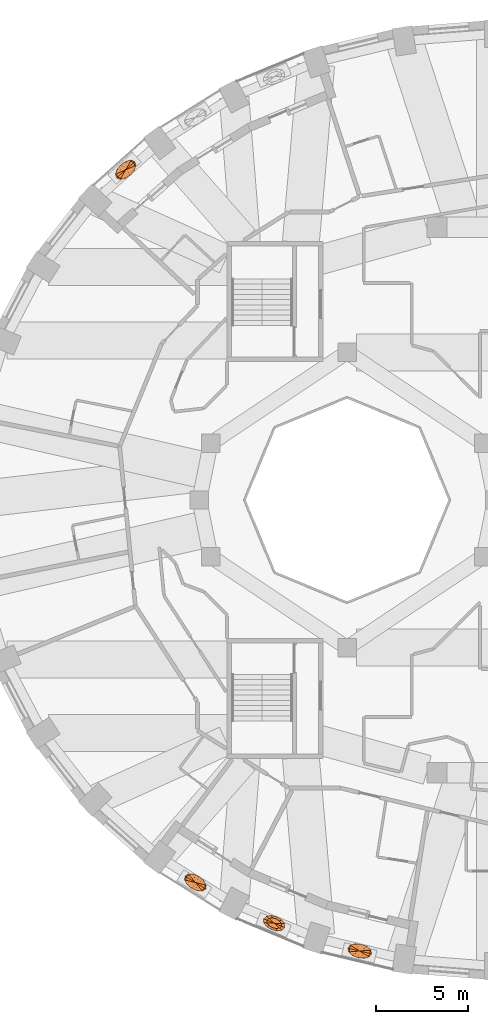
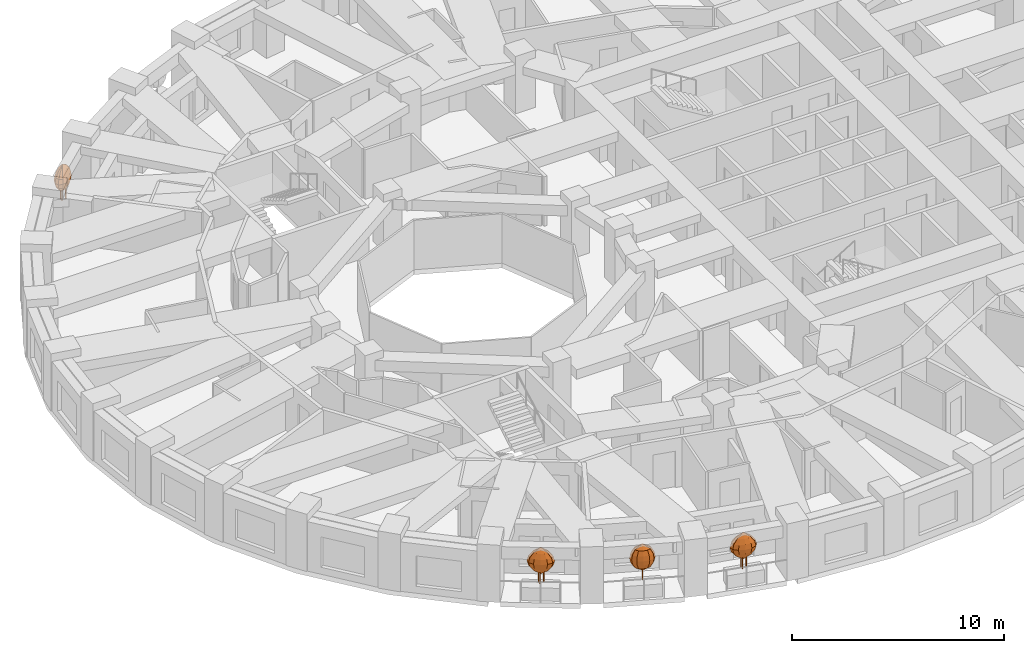
# One storey, part 12 of 13: 4 geographic elements.
"""IFC4 building model written with IfcOpenShell, lengths in metres."""

from ifc_helpers import new_model, si_unit, direction, frame, origin, place, context, subcontext, project, spatial, faceted_brep, material, constituent, constituent_set, type_object, element, save


model = new_model("IFC4")

# Units and contexts
model_context = context("Model", 3, precision=1e-05, world=origin(), true_north=direction((0.0, 1.0)))
body_context = subcontext(model_context, "Body", "Model", "MODEL_VIEW")
ifc_project = project(units=[si_unit("LENGTHUNIT", "METRE"), si_unit("AREAUNIT", "SQUARE_METRE"), si_unit("VOLUMEUNIT", "CUBIC_METRE"), si_unit("PLANEANGLEUNIT", "RADIAN"), si_unit("MASSUNIT", "GRAM", prefix="KILO")], contexts=[model_context])

# Site, building, storey
site_placement = place(None, origin())
site = spatial("IfcSite", under=ifc_project, at=site_placement, CompositionType="ELEMENT")
building_placement = place(site_placement, origin())
building = spatial("IfcBuilding", under=site, at=building_placement, Name="Taillehof Tower", CompositionType="ELEMENT")
storey_placement = place(building_placement, frame((0.0, 0.0, 81.10009765625)))
storey = spatial("IfcBuildingStorey", under=building, at=storey_placement, Name="L22", CompositionType="ELEMENT", Elevation=81.10009765625)

# Geographic elements
ifc_material_1 = material(Name="Tree bark", Category="timber")
ifc_constituent_1 = constituent(ifc_material_1, Name="Trunk", Category="timber")
ifc_material_2 = material(Name="Tree foliage")
ifc_constituent_2 = constituent(ifc_material_2, Name="Crown")
ifc_constituent_set_1 = constituent_set(constituents=[ifc_constituent_1, ifc_constituent_2], Name="Tree TR1 Columnar hornbeam")
geographic_element_type_1 = type_object("IfcGeographicElementType", Name="Tree TR1 Columnar hornbeam", PredefinedType="USERDEFINED", material=ifc_constituent_set_1)
geographic_element_1_placement = place(storey_placement, frame((-11.947509765625, -22.923583984375, 0.75)))
element("IfcGeographicElement", 1, at=geographic_element_1_placement, inside=storey, type_object=geographic_element_type_1, Name="Tree TR1 Columnar hornbeam", ObjectType="TREE", PredefinedType="USERDEFINED", context=body_context, shape_type="Brep", body=[
    faceted_brep([(0.030029296875, 0.0, 0.0), (0.021240234375, 0.021240234375, 0.0), (0.021240234375, 0.021240234375, 1.092529296875), (0.030029296875, 0.0, 1.092529296875), (0.0, 0.030029296875, 0.0), (0.0, 0.030029296875, 1.092529296875), (-0.021240234375, 0.021240234375, 0.0), (-0.021240234375, 0.021240234375, 1.092529296875), (-0.030029296875, 0.0, 0.0), (-0.030029296875, 0.0, 1.092529296875), (-0.021240234375, -0.021240234375, 0.0), (-0.021240234375, -0.021240234375, 1.092529296875), (0.0, -0.030029296875, 0.0), (0.0, -0.030029296875, 1.092529296875), (0.021240234375, -0.021240234375, 0.0), (0.021240234375, -0.021240234375, 1.092529296875)], [[[0, 1, 2, 3]], [[1, 4, 5, 2]], [[4, 6, 7, 5]], [[6, 8, 9, 7]], [[8, 10, 11, 9]], [[10, 12, 13, 11]], [[12, 14, 15, 13]], [[14, 0, 3, 15]], [[14, 12, 10, 8, 6, 4, 1, 0]], [[3, 2, 5, 7, 9, 11, 13, 15]]]),
    faceted_brep([(0.0, 0.0, 0.550048828125), (0.386962890625, -0.020751953125, 0.808349609375), (0.389404296875, -0.162353515625, 0.808349609375), (0.28125, 0.126220703125, 0.808349609375), (0.099853515625, 0.239501953125, 0.808349609375), (-0.108154296875, 0.28857421875, 0.808349609375), (-0.287109375, 0.26025390625, 0.808349609375), (-0.389404296875, 0.162353515625, 0.808349609375), (-0.386962890625, 0.020751953125, 0.808349609375), (-0.28125, -0.126220703125, 0.808349609375), (-0.099853515625, -0.239501953125, 0.808349609375), (0.108154296875, -0.28857421875, 0.808349609375), (0.287109375, -0.26025390625, 0.808349609375), (0.523681640625, -0.028076171875, 1.066650390625), (0.526611328125, -0.219482421875, 1.066650390625), (0.38037109375, 0.1708984375, 1.066650390625), (0.135009765625, 0.323974609375, 1.066650390625), (-0.146240234375, 0.390380859375, 1.066650390625), (-0.388427734375, 0.35205078125, 1.066650390625), (-0.526611328125, 0.219482421875, 1.066650390625), (-0.523681640625, 0.028076171875, 1.066650390625), (-0.38037109375, -0.1708984375, 1.066650390625), (-0.135009765625, -0.323974609375, 1.066650390625), (0.146240234375, -0.390380859375, 1.066650390625), (0.388427734375, -0.35205078125, 1.066650390625), (0.566650390625, -0.0302734375, 1.324951171875), (0.570068359375, -0.237548828125, 1.324951171875), (0.41162109375, 0.18505859375, 1.324951171875), (0.146240234375, 0.350830078125, 1.324951171875), (-0.158447265625, 0.422607421875, 1.324951171875), (-0.42041015625, 0.381103515625, 1.324951171875), (-0.570068359375, 0.237548828125, 1.324951171875), (-0.566650390625, 0.0302734375, 1.324951171875), (-0.41162109375, -0.18505859375, 1.324951171875), (-0.146240234375, -0.350830078125, 1.324951171875), (0.158447265625, -0.422607421875, 1.324951171875), (0.42041015625, -0.381103515625, 1.324951171875), (0.523681640625, -0.028076171875, 1.583251953125), (0.526611328125, -0.219482421875, 1.583251953125), (0.38037109375, 0.1708984375, 1.583251953125), (0.135009765625, 0.323974609375, 1.583251953125), (-0.146240234375, 0.390380859375, 1.583251953125), (-0.388427734375, 0.35205078125, 1.583251953125), (-0.526611328125, 0.219482421875, 1.583251953125), (-0.523681640625, 0.028076171875, 1.583251953125), (-0.38037109375, -0.1708984375, 1.583251953125), (-0.135009765625, -0.323974609375, 1.583251953125), (0.146240234375, -0.390380859375, 1.583251953125), (0.388427734375, -0.35205078125, 1.583251953125), (0.386962890625, -0.020751953125, 1.841552734375), (0.389404296875, -0.162353515625, 1.841552734375), (0.28125, 0.126220703125, 1.841552734375), (0.099853515625, 0.239501953125, 1.841552734375), (-0.108154296875, 0.28857421875, 1.841552734375), (-0.287109375, 0.26025390625, 1.841552734375), (-0.389404296875, 0.162353515625, 1.841552734375), (-0.386962890625, 0.020751953125, 1.841552734375), (-0.28125, -0.126220703125, 1.841552734375), (-0.099853515625, -0.239501953125, 1.841552734375), (0.108154296875, -0.28857421875, 1.841552734375), (0.287109375, -0.26025390625, 1.841552734375), (0.0, 0.0, 2.10009765625)], [[[0, 1, 2]], [[0, 3, 1]], [[0, 4, 3]], [[0, 5, 4]], [[0, 6, 5]], [[0, 7, 6]], [[0, 8, 7]], [[0, 9, 8]], [[0, 10, 9]], [[0, 11, 10]], [[0, 12, 11]], [[0, 2, 12]], [[2, 1, 13, 14]], [[1, 3, 15, 13]], [[3, 4, 16, 15]], [[4, 5, 17, 16]], [[5, 6, 18, 17]], [[6, 7, 19, 18]], [[7, 8, 20, 19]], [[8, 9, 21, 20]], [[9, 10, 22, 21]], [[10, 11, 23, 22]], [[11, 12, 24, 23]], [[12, 2, 14, 24]], [[14, 13, 25, 26]], [[13, 15, 27, 25]], [[15, 16, 28, 27]], [[16, 17, 29, 28]], [[17, 18, 30, 29]], [[18, 19, 31, 30]], [[19, 20, 32, 31]], [[20, 21, 33, 32]], [[21, 22, 34, 33]], [[22, 23, 35, 34]], [[23, 24, 36, 35]], [[24, 14, 26, 36]], [[26, 25, 37, 38]], [[25, 27, 39, 37]], [[27, 28, 40, 39]], [[28, 29, 41, 40]], [[29, 30, 42, 41]], [[30, 31, 43, 42]], [[31, 32, 44, 43]], [[32, 33, 45, 44]], [[33, 34, 46, 45]], [[34, 35, 47, 46]], [[35, 36, 48, 47]], [[36, 26, 38, 48]], [[38, 37, 49, 50]], [[37, 39, 51, 49]], [[39, 40, 52, 51]], [[40, 41, 53, 52]], [[41, 42, 54, 53]], [[42, 43, 55, 54]], [[43, 44, 56, 55]], [[44, 45, 57, 56]], [[45, 46, 58, 57]], [[46, 47, 59, 58]], [[47, 48, 60, 59]], [[48, 38, 50, 60]], [[50, 49, 61]], [[49, 51, 61]], [[51, 52, 61]], [[52, 53, 61]], [[53, 54, 61]], [[54, 55, 61]], [[55, 56, 61]], [[56, 57, 61]], [[57, 58, 61]], [[58, 59, 61]], [[59, 60, 61]], [[60, 50, 61]]]),
])
ifc_material_3 = material(Name="Tree bark", Category="timber")
ifc_constituent_3 = constituent(ifc_material_3, Name="Trunk", Category="timber")
ifc_material_4 = material(Name="Tree foliage")
ifc_constituent_4 = constituent(ifc_material_4, Name="Crown")
ifc_constituent_set_2 = constituent_set(constituents=[ifc_constituent_3, ifc_constituent_4], Name="Tree TR3 Multi-stem serviceberry")
geographic_element_type_2 = type_object("IfcGeographicElementType", Name="Tree TR3 Multi-stem serviceberry", PredefinedType="USERDEFINED", material=ifc_constituent_set_2)
geographic_element_2_placement = place(storey_placement, frame((-19.9921875, 17.8876953125, 0.75)))
element("IfcGeographicElement", 2, at=geographic_element_2_placement, inside=storey, type_object=geographic_element_type_2, Name="Tree TR3 Multi-stem serviceberry", ObjectType="TREE", PredefinedType="USERDEFINED", context=body_context, shape_type="Brep", body=[
    faceted_brep([(0.195068359375, 0.0, 0.0), (0.186767578125, 0.0205078125, 0.0), (0.186767578125, 0.0205078125, 1.04248046875), (0.195068359375, 0.0, 1.04248046875), (0.166259765625, 0.02880859375, 0.0), (0.166259765625, 0.02880859375, 1.04248046875), (0.145751953125, 0.0205078125, 0.0), (0.145751953125, 0.0205078125, 1.04248046875), (0.137451171875, 0.0, 0.0), (0.137451171875, 0.0, 1.04248046875), (0.145751953125, -0.0205078125, 0.0), (0.145751953125, -0.0205078125, 1.04248046875), (0.166259765625, -0.02880859375, 0.0), (0.166259765625, -0.02880859375, 1.04248046875), (0.186767578125, -0.0205078125, 0.0), (0.186767578125, -0.0205078125, 1.04248046875)], [[[0, 1, 2, 3]], [[1, 4, 5, 2]], [[4, 6, 7, 5]], [[6, 8, 9, 7]], [[8, 10, 11, 9]], [[10, 12, 13, 11]], [[12, 14, 15, 13]], [[14, 0, 3, 15]], [[14, 12, 10, 8, 6, 4, 1, 0]], [[3, 2, 5, 7, 9, 11, 13, 15]]]),
    faceted_brep([(-0.05419921875, 0.082275390625, 0.0), (-0.062744140625, 0.102783203125, 0.0), (-0.062744140625, 0.102783203125, 1.04248046875), (-0.05419921875, 0.082275390625, 1.04248046875), (-0.0830078125, 0.111083984375, 0.0), (-0.0830078125, 0.111083984375, 1.04248046875), (-0.103515625, 0.102783203125, 0.0), (-0.103515625, 0.102783203125, 1.04248046875), (-0.112060546875, 0.082275390625, 0.0), (-0.112060546875, 0.082275390625, 1.04248046875), (-0.103515625, 0.061767578125, 0.0), (-0.103515625, 0.061767578125, 1.04248046875), (-0.0830078125, 0.053466796875, 0.0), (-0.0830078125, 0.053466796875, 1.04248046875), (-0.062744140625, 0.061767578125, 0.0), (-0.062744140625, 0.061767578125, 1.04248046875)], [[[0, 1, 2, 3]], [[1, 4, 5, 2]], [[4, 6, 7, 5]], [[6, 8, 9, 7]], [[8, 10, 11, 9]], [[10, 12, 13, 11]], [[12, 14, 15, 13]], [[14, 0, 3, 15]], [[14, 12, 10, 8, 6, 4, 1, 0]], [[3, 2, 5, 7, 9, 11, 13, 15]]]),
    faceted_brep([(-0.05419921875, -0.082275390625, 0.0), (-0.062744140625, -0.061767578125, 0.0), (-0.062744140625, -0.061767578125, 1.04248046875), (-0.05419921875, -0.082275390625, 1.04248046875), (-0.0830078125, -0.053466796875, 0.0), (-0.0830078125, -0.053466796875, 1.04248046875), (-0.103515625, -0.061767578125, 0.0), (-0.103515625, -0.061767578125, 1.04248046875), (-0.112060546875, -0.082275390625, 0.0), (-0.112060546875, -0.082275390625, 1.04248046875), (-0.103515625, -0.102783203125, 0.0), (-0.103515625, -0.102783203125, 1.04248046875), (-0.0830078125, -0.111083984375, 0.0), (-0.0830078125, -0.111083984375, 1.04248046875), (-0.062744140625, -0.102783203125, 0.0), (-0.062744140625, -0.102783203125, 1.04248046875)], [[[0, 1, 2, 3]], [[1, 4, 5, 2]], [[4, 6, 7, 5]], [[6, 8, 9, 7]], [[8, 10, 11, 9]], [[10, 12, 13, 11]], [[12, 14, 15, 13]], [[14, 0, 3, 15]], [[14, 12, 10, 8, 6, 4, 1, 0]], [[3, 2, 5, 7, 9, 11, 13, 15]]]),
    faceted_brep([(0.0, 0.0, 0.5), (-0.173828125, -0.3017578125, 0.75830078125), (-0.28466796875, -0.254638671875, 0.75830078125), (-0.016357421875, -0.268310546875, 0.75830078125), (0.1455078125, -0.16259765625, 0.75830078125), (0.268310546875, -0.013671875, 0.75830078125), (0.3193359375, 0.13916015625, 0.75830078125), (0.28466796875, 0.254638671875, 0.75830078125), (0.173828125, 0.3017578125, 0.75830078125), (0.016357421875, 0.268310546875, 0.75830078125), (-0.1455078125, 0.16259765625, 0.75830078125), (-0.268310546875, 0.013671875, 0.75830078125), (-0.3193359375, -0.13916015625, 0.75830078125), (-0.269775390625, -0.46826171875, 1.0166015625), (-0.44189453125, -0.39501953125, 1.0166015625), (-0.025390625, -0.416259765625, 1.0166015625), (0.225830078125, -0.25244140625, 1.0166015625), (0.41650390625, -0.021240234375, 1.0166015625), (0.49560546875, 0.2158203125, 1.0166015625), (0.44189453125, 0.39501953125, 1.0166015625), (0.269775390625, 0.46826171875, 1.0166015625), (0.025390625, 0.416259765625, 1.0166015625), (-0.225830078125, 0.25244140625, 1.0166015625), (-0.41650390625, 0.021240234375, 1.0166015625), (-0.49560546875, -0.2158203125, 1.0166015625), (-0.302734375, -0.525390625, 1.27490234375), (-0.495849609375, -0.443115234375, 1.27490234375), (-0.028564453125, -0.467041015625, 1.27490234375), (0.253173828125, -0.283203125, 1.27490234375), (0.46728515625, -0.023681640625, 1.27490234375), (0.555908203125, 0.2421875, 1.27490234375), (0.495849609375, 0.443115234375, 1.27490234375), (0.302734375, 0.525390625, 1.27490234375), (0.028564453125, 0.467041015625, 1.27490234375), (-0.253173828125, 0.283203125, 1.27490234375), (-0.46728515625, 0.023681640625, 1.27490234375), (-0.555908203125, -0.2421875, 1.27490234375), (-0.269775390625, -0.46826171875, 1.533447265625), (-0.44189453125, -0.39501953125, 1.533447265625), (-0.025390625, -0.416259765625, 1.533447265625), (0.225830078125, -0.25244140625, 1.533447265625), (0.41650390625, -0.021240234375, 1.533447265625), (0.49560546875, 0.2158203125, 1.533447265625), (0.44189453125, 0.39501953125, 1.533447265625), (0.269775390625, 0.46826171875, 1.533447265625), (0.025390625, 0.416259765625, 1.533447265625), (-0.225830078125, 0.25244140625, 1.533447265625), (-0.41650390625, 0.021240234375, 1.533447265625), (-0.49560546875, -0.2158203125, 1.533447265625), (-0.173828125, -0.3017578125, 1.791748046875), (-0.28466796875, -0.254638671875, 1.791748046875), (-0.016357421875, -0.268310546875, 1.791748046875), (0.1455078125, -0.16259765625, 1.791748046875), (0.268310546875, -0.013671875, 1.791748046875), (0.3193359375, 0.13916015625, 1.791748046875), (0.28466796875, 0.254638671875, 1.791748046875), (0.173828125, 0.3017578125, 1.791748046875), (0.016357421875, 0.268310546875, 1.791748046875), (-0.1455078125, 0.16259765625, 1.791748046875), (-0.268310546875, 0.013671875, 1.791748046875), (-0.3193359375, -0.13916015625, 1.791748046875), (0.0, 0.0, 2.050048828125)], [[[0, 1, 2]], [[0, 3, 1]], [[0, 4, 3]], [[0, 5, 4]], [[0, 6, 5]], [[0, 7, 6]], [[0, 8, 7]], [[0, 9, 8]], [[0, 10, 9]], [[0, 11, 10]], [[0, 12, 11]], [[0, 2, 12]], [[2, 1, 13, 14]], [[1, 3, 15, 13]], [[3, 4, 16, 15]], [[4, 5, 17, 16]], [[5, 6, 18, 17]], [[6, 7, 19, 18]], [[7, 8, 20, 19]], [[8, 9, 21, 20]], [[9, 10, 22, 21]], [[10, 11, 23, 22]], [[11, 12, 24, 23]], [[12, 2, 14, 24]], [[14, 13, 25, 26]], [[13, 15, 27, 25]], [[15, 16, 28, 27]], [[16, 17, 29, 28]], [[17, 18, 30, 29]], [[18, 19, 31, 30]], [[19, 20, 32, 31]], [[20, 21, 33, 32]], [[21, 22, 34, 33]], [[22, 23, 35, 34]], [[23, 24, 36, 35]], [[24, 14, 26, 36]], [[26, 25, 37, 38]], [[25, 27, 39, 37]], [[27, 28, 40, 39]], [[28, 29, 41, 40]], [[29, 30, 42, 41]], [[30, 31, 43, 42]], [[31, 32, 44, 43]], [[32, 33, 45, 44]], [[33, 34, 46, 45]], [[34, 35, 47, 46]], [[35, 36, 48, 47]], [[36, 26, 38, 48]], [[38, 37, 49, 50]], [[37, 39, 51, 49]], [[39, 40, 52, 51]], [[40, 41, 53, 52]], [[41, 42, 54, 53]], [[42, 43, 55, 54]], [[43, 44, 56, 55]], [[44, 45, 57, 56]], [[45, 46, 58, 57]], [[46, 47, 59, 58]], [[47, 48, 60, 59]], [[48, 38, 50, 60]], [[50, 49, 61]], [[49, 51, 61]], [[51, 52, 61]], [[52, 53, 61]], [[53, 54, 61]], [[54, 55, 61]], [[55, 56, 61]], [[56, 57, 61]], [[57, 58, 61]], [[58, 59, 61]], [[59, 60, 61]], [[60, 50, 61]]]),
])
geographic_element_3_placement = place(storey_placement, frame((-16.2158203125, -20.720703125, 0.75)))
element("IfcGeographicElement", 3, at=geographic_element_3_placement, inside=storey, type_object=geographic_element_type_2, Name="Tree TR3 Multi-stem serviceberry", ObjectType="TREE", PredefinedType="USERDEFINED", context=body_context, shape_type="Brep", body=[
    faceted_brep([(0.195068359375, 0.0, 0.0), (0.186767578125, 0.0205078125, 0.0), (0.186767578125, 0.0205078125, 1.04248046875), (0.195068359375, 0.0, 1.04248046875), (0.166259765625, 0.02880859375, 0.0), (0.166259765625, 0.02880859375, 1.04248046875), (0.145751953125, 0.0205078125, 0.0), (0.145751953125, 0.0205078125, 1.04248046875), (0.137451171875, 0.0, 0.0), (0.137451171875, 0.0, 1.04248046875), (0.145751953125, -0.0205078125, 0.0), (0.145751953125, -0.0205078125, 1.04248046875), (0.166259765625, -0.02880859375, 0.0), (0.166259765625, -0.02880859375, 1.04248046875), (0.186767578125, -0.0205078125, 0.0), (0.186767578125, -0.0205078125, 1.04248046875)], [[[0, 1, 2, 3]], [[1, 4, 5, 2]], [[4, 6, 7, 5]], [[6, 8, 9, 7]], [[8, 10, 11, 9]], [[10, 12, 13, 11]], [[12, 14, 15, 13]], [[14, 0, 3, 15]], [[14, 12, 10, 8, 6, 4, 1, 0]], [[3, 2, 5, 7, 9, 11, 13, 15]]]),
    faceted_brep([(-0.05419921875, 0.082275390625, 0.0), (-0.062744140625, 0.102783203125, 0.0), (-0.062744140625, 0.102783203125, 1.04248046875), (-0.05419921875, 0.082275390625, 1.04248046875), (-0.0830078125, 0.111083984375, 0.0), (-0.0830078125, 0.111083984375, 1.04248046875), (-0.103515625, 0.102783203125, 0.0), (-0.103515625, 0.102783203125, 1.04248046875), (-0.112060546875, 0.082275390625, 0.0), (-0.112060546875, 0.082275390625, 1.04248046875), (-0.103515625, 0.061767578125, 0.0), (-0.103515625, 0.061767578125, 1.04248046875), (-0.0830078125, 0.053466796875, 0.0), (-0.0830078125, 0.053466796875, 1.04248046875), (-0.062744140625, 0.061767578125, 0.0), (-0.062744140625, 0.061767578125, 1.04248046875)], [[[0, 1, 2, 3]], [[1, 4, 5, 2]], [[4, 6, 7, 5]], [[6, 8, 9, 7]], [[8, 10, 11, 9]], [[10, 12, 13, 11]], [[12, 14, 15, 13]], [[14, 0, 3, 15]], [[14, 12, 10, 8, 6, 4, 1, 0]], [[3, 2, 5, 7, 9, 11, 13, 15]]]),
    faceted_brep([(-0.05419921875, -0.082275390625, 0.0), (-0.062744140625, -0.061767578125, 0.0), (-0.062744140625, -0.061767578125, 1.04248046875), (-0.05419921875, -0.082275390625, 1.04248046875), (-0.0830078125, -0.053466796875, 0.0), (-0.0830078125, -0.053466796875, 1.04248046875), (-0.103515625, -0.061767578125, 0.0), (-0.103515625, -0.061767578125, 1.04248046875), (-0.112060546875, -0.082275390625, 0.0), (-0.112060546875, -0.082275390625, 1.04248046875), (-0.103515625, -0.102783203125, 0.0), (-0.103515625, -0.102783203125, 1.04248046875), (-0.0830078125, -0.111083984375, 0.0), (-0.0830078125, -0.111083984375, 1.04248046875), (-0.062744140625, -0.102783203125, 0.0), (-0.062744140625, -0.102783203125, 1.04248046875)], [[[0, 1, 2, 3]], [[1, 4, 5, 2]], [[4, 6, 7, 5]], [[6, 8, 9, 7]], [[8, 10, 11, 9]], [[10, 12, 13, 11]], [[12, 14, 15, 13]], [[14, 0, 3, 15]], [[14, 12, 10, 8, 6, 4, 1, 0]], [[3, 2, 5, 7, 9, 11, 13, 15]]]),
    faceted_brep([(0.0, 0.0, 0.5), (0.33837890625, -0.0830078125, 0.75830078125), (0.32373046875, -0.20263671875, 0.75830078125), (0.26220703125, 0.058837890625, 0.75830078125), (0.11572265625, 0.18505859375, 0.75830078125), (-0.0615234375, 0.261474609375, 0.75830078125), (-0.222412109375, 0.26806640625, 0.75830078125), (-0.32373046875, 0.20263671875, 0.75830078125), (-0.33837890625, 0.0830078125, 0.75830078125), (-0.26220703125, -0.058837890625, 0.75830078125), (-0.11572265625, -0.18505859375, 0.75830078125), (0.0615234375, -0.261474609375, 0.75830078125), (0.222412109375, -0.26806640625, 0.75830078125), (0.52490234375, -0.12890625, 1.0166015625), (0.50244140625, -0.314453125, 1.0166015625), (0.40673828125, 0.09130859375, 1.0166015625), (0.1796875, 0.287109375, 1.0166015625), (-0.095703125, 0.40576171875, 1.0166015625), (-0.34521484375, 0.415771484375, 1.0166015625), (-0.50244140625, 0.314453125, 1.0166015625), (-0.52490234375, 0.12890625, 1.0166015625), (-0.40673828125, -0.09130859375, 1.0166015625), (-0.1796875, -0.287109375, 1.0166015625), (0.095703125, -0.40576171875, 1.0166015625), (0.34521484375, -0.415771484375, 1.0166015625), (0.5888671875, -0.14453125, 1.27490234375), (0.563720703125, -0.352783203125, 1.27490234375), (0.45654296875, 0.1025390625, 1.27490234375), (0.20166015625, 0.322021484375, 1.27490234375), (-0.107177734375, 0.455322265625, 1.27490234375), (-0.387451171875, 0.466552734375, 1.27490234375), (-0.563720703125, 0.352783203125, 1.27490234375), (-0.5888671875, 0.14453125, 1.27490234375), (-0.45654296875, -0.1025390625, 1.27490234375), (-0.20166015625, -0.322021484375, 1.27490234375), (0.107177734375, -0.455322265625, 1.27490234375), (0.387451171875, -0.466552734375, 1.27490234375), (0.52490234375, -0.12890625, 1.533447265625), (0.50244140625, -0.314453125, 1.533447265625), (0.40673828125, 0.09130859375, 1.533447265625), (0.1796875, 0.287109375, 1.533447265625), (-0.095703125, 0.40576171875, 1.533447265625), (-0.34521484375, 0.415771484375, 1.533447265625), (-0.50244140625, 0.314453125, 1.533447265625), (-0.52490234375, 0.12890625, 1.533447265625), (-0.40673828125, -0.09130859375, 1.533447265625), (-0.1796875, -0.287109375, 1.533447265625), (0.095703125, -0.40576171875, 1.533447265625), (0.34521484375, -0.415771484375, 1.533447265625), (0.33837890625, -0.0830078125, 1.791748046875), (0.32373046875, -0.20263671875, 1.791748046875), (0.26220703125, 0.058837890625, 1.791748046875), (0.11572265625, 0.18505859375, 1.791748046875), (-0.0615234375, 0.261474609375, 1.791748046875), (-0.222412109375, 0.26806640625, 1.791748046875), (-0.32373046875, 0.20263671875, 1.791748046875), (-0.33837890625, 0.0830078125, 1.791748046875), (-0.26220703125, -0.058837890625, 1.791748046875), (-0.11572265625, -0.18505859375, 1.791748046875), (0.0615234375, -0.261474609375, 1.791748046875), (0.222412109375, -0.26806640625, 1.791748046875), (0.0, 0.0, 2.050048828125)], [[[0, 1, 2]], [[0, 3, 1]], [[0, 4, 3]], [[0, 5, 4]], [[0, 6, 5]], [[0, 7, 6]], [[0, 8, 7]], [[0, 9, 8]], [[0, 10, 9]], [[0, 11, 10]], [[0, 12, 11]], [[0, 2, 12]], [[2, 1, 13, 14]], [[1, 3, 15, 13]], [[3, 4, 16, 15]], [[4, 5, 17, 16]], [[5, 6, 18, 17]], [[6, 7, 19, 18]], [[7, 8, 20, 19]], [[8, 9, 21, 20]], [[9, 10, 22, 21]], [[10, 11, 23, 22]], [[11, 12, 24, 23]], [[12, 2, 14, 24]], [[14, 13, 25, 26]], [[13, 15, 27, 25]], [[15, 16, 28, 27]], [[16, 17, 29, 28]], [[17, 18, 30, 29]], [[18, 19, 31, 30]], [[19, 20, 32, 31]], [[20, 21, 33, 32]], [[21, 22, 34, 33]], [[22, 23, 35, 34]], [[23, 24, 36, 35]], [[24, 14, 26, 36]], [[26, 25, 37, 38]], [[25, 27, 39, 37]], [[27, 28, 40, 39]], [[28, 29, 41, 40]], [[29, 30, 42, 41]], [[30, 31, 43, 42]], [[31, 32, 44, 43]], [[32, 33, 45, 44]], [[33, 34, 46, 45]], [[34, 35, 47, 46]], [[35, 36, 48, 47]], [[36, 26, 38, 48]], [[38, 37, 49, 50]], [[37, 39, 51, 49]], [[39, 40, 52, 51]], [[40, 41, 53, 52]], [[41, 42, 54, 53]], [[42, 43, 55, 54]], [[43, 44, 56, 55]], [[44, 45, 57, 56]], [[45, 46, 58, 57]], [[46, 47, 59, 58]], [[47, 48, 60, 59]], [[48, 38, 50, 60]], [[50, 49, 61]], [[49, 51, 61]], [[51, 52, 61]], [[52, 53, 61]], [[53, 54, 61]], [[54, 55, 61]], [[55, 56, 61]], [[56, 57, 61]], [[57, 58, 61]], [[58, 59, 61]], [[59, 60, 61]], [[60, 50, 61]]]),
])
geographic_element_4_placement = place(storey_placement, frame((-7.31640625, -24.430419921875, 0.75)))
element("IfcGeographicElement", 4, at=geographic_element_4_placement, inside=storey, type_object=geographic_element_type_2, Name="Tree TR3 Multi-stem serviceberry", ObjectType="TREE", PredefinedType="USERDEFINED", context=body_context, shape_type="Brep", body=[
    faceted_brep([(0.195068359375, 0.0, 0.0), (0.186767578125, 0.0205078125, 0.0), (0.186767578125, 0.0205078125, 1.04248046875), (0.195068359375, 0.0, 1.04248046875), (0.166259765625, 0.02880859375, 0.0), (0.166259765625, 0.02880859375, 1.04248046875), (0.145751953125, 0.0205078125, 0.0), (0.145751953125, 0.0205078125, 1.04248046875), (0.137451171875, 0.0, 0.0), (0.137451171875, 0.0, 1.04248046875), (0.145751953125, -0.0205078125, 0.0), (0.145751953125, -0.0205078125, 1.04248046875), (0.166259765625, -0.02880859375, 0.0), (0.166259765625, -0.02880859375, 1.04248046875), (0.186767578125, -0.0205078125, 0.0), (0.186767578125, -0.0205078125, 1.04248046875)], [[[0, 1, 2, 3]], [[1, 4, 5, 2]], [[4, 6, 7, 5]], [[6, 8, 9, 7]], [[8, 10, 11, 9]], [[10, 12, 13, 11]], [[12, 14, 15, 13]], [[14, 0, 3, 15]], [[14, 12, 10, 8, 6, 4, 1, 0]], [[3, 2, 5, 7, 9, 11, 13, 15]]]),
    faceted_brep([(-0.05419921875, 0.082275390625, 0.0), (-0.062744140625, 0.102783203125, 0.0), (-0.062744140625, 0.102783203125, 1.04248046875), (-0.05419921875, 0.082275390625, 1.04248046875), (-0.0830078125, 0.111083984375, 0.0), (-0.0830078125, 0.111083984375, 1.04248046875), (-0.103515625, 0.102783203125, 0.0), (-0.103515625, 0.102783203125, 1.04248046875), (-0.112060546875, 0.082275390625, 0.0), (-0.112060546875, 0.082275390625, 1.04248046875), (-0.103515625, 0.061767578125, 0.0), (-0.103515625, 0.061767578125, 1.04248046875), (-0.0830078125, 0.053466796875, 0.0), (-0.0830078125, 0.053466796875, 1.04248046875), (-0.062744140625, 0.061767578125, 0.0), (-0.062744140625, 0.061767578125, 1.04248046875)], [[[0, 1, 2, 3]], [[1, 4, 5, 2]], [[4, 6, 7, 5]], [[6, 8, 9, 7]], [[8, 10, 11, 9]], [[10, 12, 13, 11]], [[12, 14, 15, 13]], [[14, 0, 3, 15]], [[14, 12, 10, 8, 6, 4, 1, 0]], [[3, 2, 5, 7, 9, 11, 13, 15]]]),
    faceted_brep([(-0.05419921875, -0.082275390625, 0.0), (-0.062744140625, -0.061767578125, 0.0), (-0.062744140625, -0.061767578125, 1.04248046875), (-0.05419921875, -0.082275390625, 1.04248046875), (-0.0830078125, -0.053466796875, 0.0), (-0.0830078125, -0.053466796875, 1.04248046875), (-0.103515625, -0.061767578125, 0.0), (-0.103515625, -0.061767578125, 1.04248046875), (-0.112060546875, -0.082275390625, 0.0), (-0.112060546875, -0.082275390625, 1.04248046875), (-0.103515625, -0.102783203125, 0.0), (-0.103515625, -0.102783203125, 1.04248046875), (-0.0830078125, -0.111083984375, 0.0), (-0.0830078125, -0.111083984375, 1.04248046875), (-0.062744140625, -0.102783203125, 0.0), (-0.062744140625, -0.102783203125, 1.04248046875)], [[[0, 1, 2, 3]], [[1, 4, 5, 2]], [[4, 6, 7, 5]], [[6, 8, 9, 7]], [[8, 10, 11, 9]], [[10, 12, 13, 11]], [[12, 14, 15, 13]], [[14, 0, 3, 15]], [[14, 12, 10, 8, 6, 4, 1, 0]], [[3, 2, 5, 7, 9, 11, 13, 15]]]),
    faceted_brep([(0.0, 0.0, 0.5), (0.34716796875, 0.029052734375, 0.75830078125), (0.371337890625, -0.0888671875, 0.75830078125), (0.229736328125, 0.139404296875, 0.75830078125), (0.05078125, 0.212158203125, 0.75830078125), (-0.1416015625, 0.228271484375, 0.75830078125), (-0.296142578125, 0.18310546875, 0.75830078125), (-0.371337890625, 0.0888671875, 0.75830078125), (-0.34716796875, -0.029052734375, 0.75830078125), (-0.229736328125, -0.139404296875, 0.75830078125), (-0.05078125, -0.212158203125, 0.75830078125), (0.1416015625, -0.228271484375, 0.75830078125), (0.296142578125, -0.18310546875, 0.75830078125), (0.53857421875, 0.045166015625, 1.0166015625), (0.576416015625, -0.13818359375, 1.0166015625), (0.3564453125, 0.21630859375, 1.0166015625), (0.078857421875, 0.329345703125, 1.0166015625), (-0.219970703125, 0.354248046875, 1.0166015625), (-0.459716796875, 0.2841796875, 1.0166015625), (-0.576416015625, 0.13818359375, 1.0166015625), (-0.53857421875, -0.045166015625, 1.0166015625), (-0.3564453125, -0.21630859375, 1.0166015625), (-0.078857421875, -0.329345703125, 1.0166015625), (0.219970703125, -0.354248046875, 1.0166015625), (0.459716796875, -0.2841796875, 1.0166015625), (0.604248046875, 0.050537109375, 1.27490234375), (0.646728515625, -0.15478515625, 1.27490234375), (0.39990234375, 0.24267578125, 1.27490234375), (0.088623046875, 0.36962890625, 1.27490234375), (-0.24658203125, 0.3974609375, 1.27490234375), (-0.515869140625, 0.31884765625, 1.27490234375), (-0.646728515625, 0.15478515625, 1.27490234375), (-0.604248046875, -0.050537109375, 1.27490234375), (-0.39990234375, -0.24267578125, 1.27490234375), (-0.088623046875, -0.36962890625, 1.27490234375), (0.24658203125, -0.3974609375, 1.27490234375), (0.515869140625, -0.31884765625, 1.27490234375), (0.53857421875, 0.045166015625, 1.533447265625), (0.576416015625, -0.13818359375, 1.533447265625), (0.3564453125, 0.21630859375, 1.533447265625), (0.078857421875, 0.329345703125, 1.533447265625), (-0.219970703125, 0.354248046875, 1.533447265625), (-0.459716796875, 0.2841796875, 1.533447265625), (-0.576416015625, 0.13818359375, 1.533447265625), (-0.53857421875, -0.045166015625, 1.533447265625), (-0.3564453125, -0.21630859375, 1.533447265625), (-0.078857421875, -0.329345703125, 1.533447265625), (0.219970703125, -0.354248046875, 1.533447265625), (0.459716796875, -0.2841796875, 1.533447265625), (0.34716796875, 0.029052734375, 1.791748046875), (0.371337890625, -0.0888671875, 1.791748046875), (0.229736328125, 0.139404296875, 1.791748046875), (0.05078125, 0.212158203125, 1.791748046875), (-0.1416015625, 0.228271484375, 1.791748046875), (-0.296142578125, 0.18310546875, 1.791748046875), (-0.371337890625, 0.0888671875, 1.791748046875), (-0.34716796875, -0.029052734375, 1.791748046875), (-0.229736328125, -0.139404296875, 1.791748046875), (-0.05078125, -0.212158203125, 1.791748046875), (0.1416015625, -0.228271484375, 1.791748046875), (0.296142578125, -0.18310546875, 1.791748046875), (0.0, 0.0, 2.050048828125)], [[[0, 1, 2]], [[0, 3, 1]], [[0, 4, 3]], [[0, 5, 4]], [[0, 6, 5]], [[0, 7, 6]], [[0, 8, 7]], [[0, 9, 8]], [[0, 10, 9]], [[0, 11, 10]], [[0, 12, 11]], [[0, 2, 12]], [[2, 1, 13, 14]], [[1, 3, 15, 13]], [[3, 4, 16, 15]], [[4, 5, 17, 16]], [[5, 6, 18, 17]], [[6, 7, 19, 18]], [[7, 8, 20, 19]], [[8, 9, 21, 20]], [[9, 10, 22, 21]], [[10, 11, 23, 22]], [[11, 12, 24, 23]], [[12, 2, 14, 24]], [[14, 13, 25, 26]], [[13, 15, 27, 25]], [[15, 16, 28, 27]], [[16, 17, 29, 28]], [[17, 18, 30, 29]], [[18, 19, 31, 30]], [[19, 20, 32, 31]], [[20, 21, 33, 32]], [[21, 22, 34, 33]], [[22, 23, 35, 34]], [[23, 24, 36, 35]], [[24, 14, 26, 36]], [[26, 25, 37, 38]], [[25, 27, 39, 37]], [[27, 28, 40, 39]], [[28, 29, 41, 40]], [[29, 30, 42, 41]], [[30, 31, 43, 42]], [[31, 32, 44, 43]], [[32, 33, 45, 44]], [[33, 34, 46, 45]], [[34, 35, 47, 46]], [[35, 36, 48, 47]], [[36, 26, 38, 48]], [[38, 37, 49, 50]], [[37, 39, 51, 49]], [[39, 40, 52, 51]], [[40, 41, 53, 52]], [[41, 42, 54, 53]], [[42, 43, 55, 54]], [[43, 44, 56, 55]], [[44, 45, 57, 56]], [[45, 46, 58, 57]], [[46, 47, 59, 58]], [[47, 48, 60, 59]], [[48, 38, 50, 60]], [[50, 49, 61]], [[49, 51, 61]], [[51, 52, 61]], [[52, 53, 61]], [[53, 54, 61]], [[54, 55, 61]], [[55, 56, 61]], [[56, 57, 61]], [[57, 58, 61]], [[58, 59, 61]], [[59, 60, 61]], [[60, 50, 61]]]),
])

save(model, "model.ifc")
